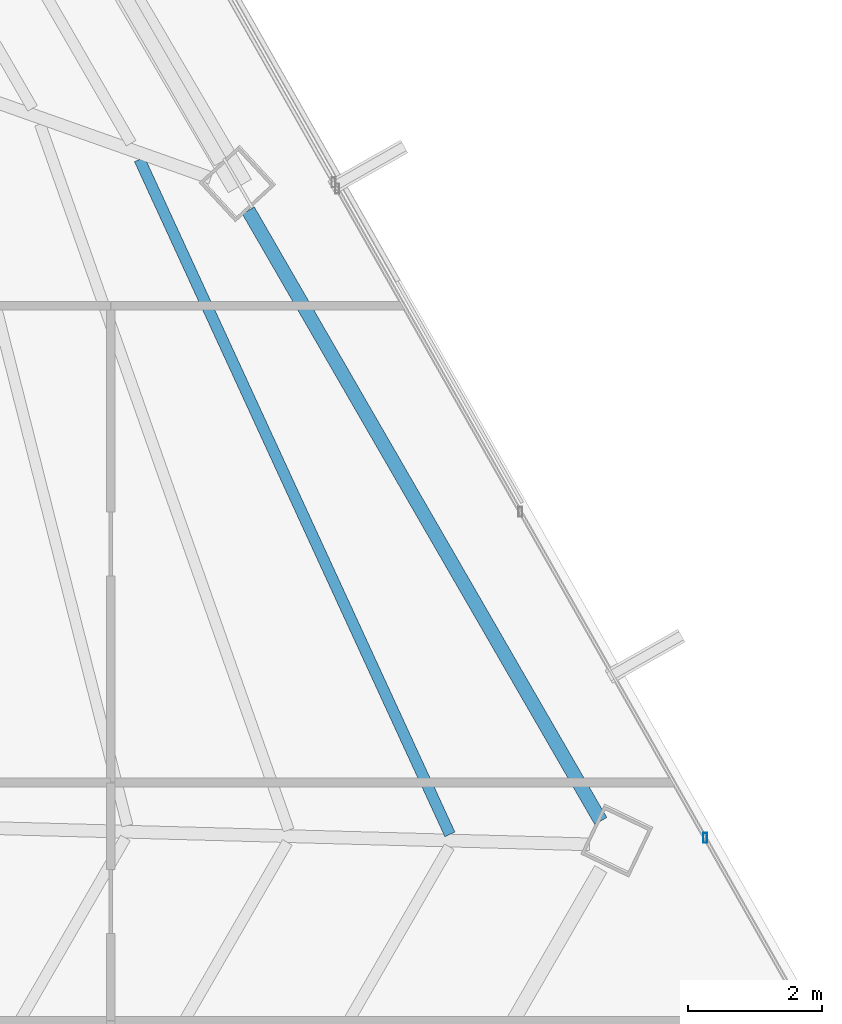
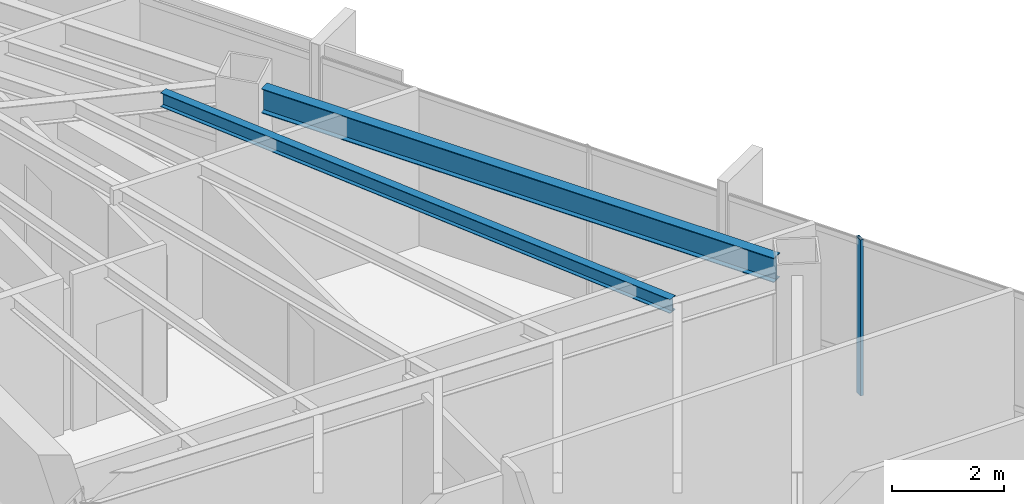
# One storey, part 22 of 42: 2 beams, 1 member, 1 element without a shape of its own.
"""IFC4 building model written with IfcOpenShell, lengths in metres."""

from ifc_helpers import new_model, si_unit, direction, frame, origin, origin_2d, place, context, subcontext, project, spatial, hollow_rectangle, i_section, extrude, source, transform, mapped, material, material_profile, profile_set, type_object, type_shapes, element, aggregate, save


model = new_model("IFC4")

# Units and contexts
model_context = context("Model", 3, precision=1e-05, world=origin(), true_north=direction((0.0, 1.0)))
body_context = subcontext(model_context, "Body", "Model", "MODEL_VIEW")
ifc_project = project(units=[si_unit("LENGTHUNIT", "METRE"), si_unit("AREAUNIT", "SQUARE_METRE"), si_unit("VOLUMEUNIT", "CUBIC_METRE"), si_unit("PLANEANGLEUNIT", "RADIAN"), si_unit("MASSUNIT", "GRAM", prefix="KILO")], contexts=[model_context])

# Site, building, storey
site_placement = place(None, origin())
site = spatial("IfcSite", under=ifc_project, at=site_placement, CompositionType="ELEMENT")
building_placement = place(site_placement, origin())
building = spatial("IfcBuilding", under=site, at=building_placement, Name="Caelisora Broadcast Tower", CompositionType="ELEMENT")
storey_placement = place(building_placement, frame((0.0, 0.0, 205.949951171875)))
storey = spatial("IfcBuildingStorey", under=building, at=storey_placement, Name="L54", CompositionType="ELEMENT", Elevation=205.949951171875)

# Beams
ifc_material_1 = material(Name="Steel Grade 350 (AS/NZS 3679.1)", Category="steel")
ifc_material_profile_1 = material_profile(ifc_material_1, i_section(OverallWidth=0.208984375, OverallDepth=0.532958984375, WebThickness=0.01025390625, FlangeThickness=0.015625, at=origin_2d()), Name="Steel Grade 350 (AS/NZS 3679.1)")
ifc_profile_set_1 = profile_set([ifc_material_profile_1], Name="Steel Grade 350 (AS/NZS 3679.1)")
beam_type_1 = type_object("IfcBeamType", Name="PG05", PredefinedType="BEAM", material=ifc_profile_set_1)
shared_shape_1 = source(origin(), body_context, "Body", "SweptSolid", [
    extrude(i_section(OverallWidth=0.208984375, OverallDepth=0.532958984375, WebThickness=0.01025390625, FlangeThickness=0.015625, at=origin_2d()), origin(), (0.0, 0.0, 1.0), 10.556884765625),
])
type_shapes(beam_type_1, [shared_shape_1])
beam_1_placement = place(storey_placement, frame((59.839599609375, 17.363037109375, 3.133544921875), z_axis=(-0.50000671437, 0.866021527206, 0.0), x_axis=(-0.866021527206, -0.50000671437, 0.0)))
element("IfcBeam", 1, at=beam_1_placement, inside=storey, type_object=beam_type_1, Name="L54 beam PG05", PredefinedType="BEAM", context=body_context, shape_type="MappedRepresentation", body=[
    mapped(shared_shape_1, transform((0.0, 0.0, 0.0), scale=1.0)),
])
ifc_material_profile_2 = material_profile(ifc_material_1, i_section(OverallWidth=0.166015625, OverallDepth=0.30712890625, WebThickness=0.006591796875, FlangeThickness=0.01171875, at=origin_2d()), Name="Steel Grade 350 (AS/NZS 3679.1)")
ifc_profile_set_2 = profile_set([ifc_material_profile_2], Name="Steel Grade 350 (AS/NZS 3679.1)")
beam_type_2 = type_object("IfcBeamType", Name="SB03", PredefinedType="JOIST", material=ifc_profile_set_2)
shared_shape_2 = source(origin(), body_context, "Body", "SweptSolid", [
    extrude(i_section(OverallWidth=0.166015625, OverallDepth=0.30712890625, WebThickness=0.006591796875, FlangeThickness=0.01171875, at=origin_2d()), origin(), (0.0, 0.0, 1.0), 11.124267578125),
])
type_shapes(beam_type_2, [shared_shape_2])
beam_2_placement = place(storey_placement, frame((57.57958984375, 17.1630859375, 3.246337890625), z_axis=(-0.417795474173, 0.908541106258, 0.0), x_axis=(-0.908541106258, -0.417795474173, 0.0)))
element("IfcBeam", 2, at=beam_2_placement, inside=storey, type_object=beam_type_2, Name="L54 beam SB03", PredefinedType="JOIST", context=body_context, shape_type="MappedRepresentation", body=[
    mapped(shared_shape_2, transform((0.0, 0.0, 0.0), scale=1.0)),
])

# Curtain wall, member
ifc_material_2 = material(Name="Unitised Aluminium and Low-E Glass Curtain Wall", Category="glass")
curtain_wall_type = type_object("IfcCurtainWallType", Name="CW-Z4", PredefinedType="NOTDEFINED", material=ifc_material_2)
curtain_wall_placement = place(storey_placement, origin())
curtain_wall = element("IfcCurtainWall", 3, at=curtain_wall_placement, inside=storey, type_object=curtain_wall_type, Name="L54 curtain wall CW-Z4", PredefinedType="NOTDEFINED")
ifc_material_3 = material(Name="Aluminium 6063-T6 Anodised Terracotta Bronze", Category="aluminium")
ifc_material_profile_3 = material_profile(ifc_material_3, hollow_rectangle(XDim=0.06005859375, YDim=0.14990234375, WallThickness=0.00341796875, at=origin_2d()), Name="Aluminium 6063-T6 Anodised Terracotta Bronze")
ifc_profile_set_3 = profile_set([ifc_material_profile_3], Name="Aluminium 6063-T6 Anodised Terracotta Bronze")
member_type = type_object("IfcMemberType", Name="CWM-03", PredefinedType="MULLION", material=ifc_profile_set_3)
shared_shape_3 = source(origin(), body_context, "Body", "SweptSolid", [
    extrude(hollow_rectangle(XDim=0.06005859375, YDim=0.14990234375, WallThickness=0.00341796875, at=origin_2d()), origin(), (0.0, 0.0, 1.0), 3.400146484375),
])
type_shapes(member_type, [shared_shape_3])
member_placement = place(storey_placement, frame((61.400390625, 17.110595703125, 0.0), z_axis=(0.0, 0.0, 1.0), x_axis=(1.0, 0.0, 0.0)))
member = element("IfcMember", 4, at=member_placement, type_object=member_type, Name="L54-CW-B03 mullion #2", PredefinedType="MULLION", context=body_context, shape_type="MappedRepresentation", body=[
    mapped(shared_shape_3, transform((0.0, 0.0, 0.0), scale=1.0)),
])
aggregate(curtain_wall, [member])

save(model, "model.ifc")
